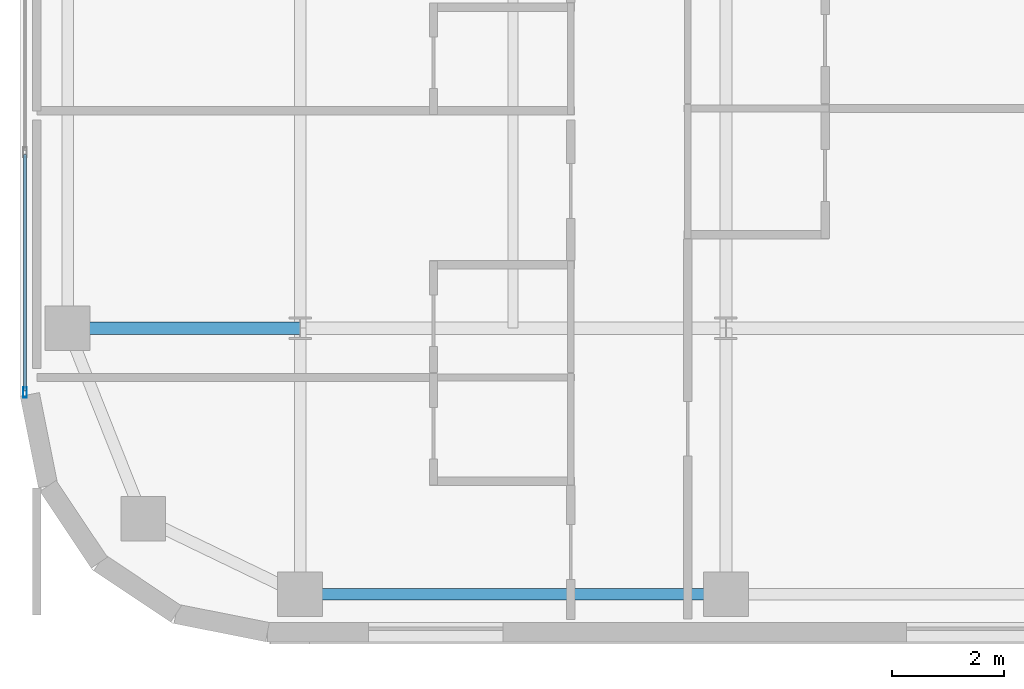
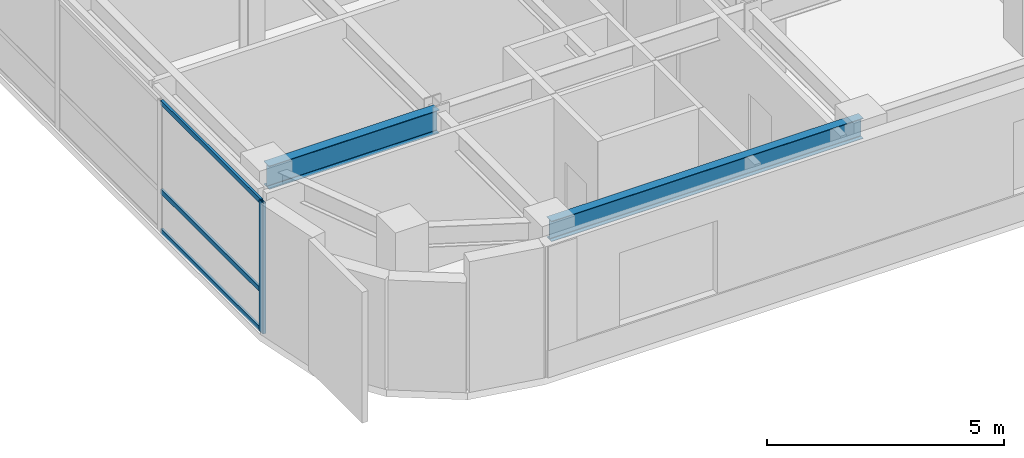
# One storey, part 3 of 28: 4 members, 2 beams, 1 element without a shape of its own.
"""IFC4 building model written with IfcOpenShell, lengths in metres."""

from ifc_helpers import new_model, si_unit, direction, frame, origin, origin_2d, place, context, subcontext, project, spatial, hollow_rectangle, i_section, extrude, source, transform, mapped, material, layer, layer_set, material_profile, profile_set, type_object, type_shapes, element, aggregate, save


model = new_model("IFC4")

# Units and contexts
model_context = context("Model", 3, precision=1e-05, world=origin(), true_north=direction((0.0, 1.0)))
body_context = subcontext(model_context, "Body", "Model", "MODEL_VIEW")
ifc_project = project(units=[si_unit("LENGTHUNIT", "METRE"), si_unit("AREAUNIT", "SQUARE_METRE"), si_unit("VOLUMEUNIT", "CUBIC_METRE"), si_unit("PLANEANGLEUNIT", "RADIAN"), si_unit("MASSUNIT", "GRAM", prefix="KILO")], contexts=[model_context])

# Site, building, storey
site_placement = place(None, origin())
site = spatial("IfcSite", under=ifc_project, at=site_placement, CompositionType="ELEMENT")
building_placement = place(site_placement, origin())
building = spatial("IfcBuilding", under=site, at=building_placement, Name="Tolvann Quenvar Hotel", CompositionType="ELEMENT")
storey_placement = place(building_placement, frame((0.0, 0.0, 154.14990234375)))
storey = spatial("IfcBuildingStorey", under=building, at=storey_placement, Name="L40", CompositionType="ELEMENT", Elevation=154.14990234375)

# Beams
ifc_material_1 = material(Name="Steel Grade 350", Category="steel")
ifc_material_profile_1 = material_profile(ifc_material_1, i_section(OverallWidth=0.208984375, OverallDepth=0.528076171875, WebThickness=0.009521484375, FlangeThickness=0.01318359375, FilletRadius=0.013916015625, at=origin_2d()), Name="530UB82")
ifc_profile_set_1 = profile_set([ifc_material_profile_1], Name="Steel Grade 350")
beam_type_1 = type_object("IfcBeamType", Name="BM_SPAND_530UB82", PredefinedType="SPANDREL", material=ifc_profile_set_1)
shared_shape_1 = source(origin(), body_context, "Body", "SweptSolid", [
    extrude(i_section(OverallWidth=0.208984375, OverallDepth=0.528076171875, WebThickness=0.009521484375, FlangeThickness=0.01318359375, FilletRadius=0.013916015625, at=origin_2d()), origin(), (0.0, 0.0, 1.0), 7.599853515625),
])
type_shapes(beam_type_1, [shared_shape_1])
beam_1_placement = place(storey_placement, frame((7.60009765625, 3.449951171875, 3.106201171875), z_axis=(1.0, 0.0, 0.0), x_axis=(0.0, 1.0, 0.0)))
element("IfcBeam", 1, at=beam_1_placement, inside=storey, type_object=beam_type_1, Name="BM-L40-EW-2-C2-D2", PredefinedType="SPANDREL", context=body_context, shape_type="MappedRepresentation", body=[
    mapped(shared_shape_1, transform((0.0, 0.0, 0.0), x_axis=(1.0, 0.0, 0.0), y_axis=(0.0, 1.0, 0.0), z_axis=(0.0, 0.0, 1.0), scale=1.0)),
])
ifc_material_profile_2 = material_profile(ifc_material_1, i_section(OverallWidth=0.22802734375, OverallDepth=0.60205078125, WebThickness=0.010498046875, FlangeThickness=0.014892578125, FilletRadius=0.013916015625, at=origin_2d()), Name="610UB101")
ifc_profile_set_2 = profile_set([ifc_material_profile_2], Name="Steel Grade 350")
beam_type_2 = type_object("IfcBeamType", Name="BM_GIRD_610UB101", PredefinedType="BEAM", material=ifc_profile_set_2)
shared_shape_2 = source(origin(), body_context, "Body", "SweptSolid", [
    extrude(i_section(OverallWidth=0.22802734375, OverallDepth=0.60205078125, WebThickness=0.010498046875, FlangeThickness=0.014892578125, FilletRadius=0.013916015625, at=origin_2d()), origin(), (0.0, 0.0, 1.0), 4.150146484375),
])
type_shapes(beam_type_2, [shared_shape_2])
beam_2_placement = place(storey_placement, frame((3.449951171875, 8.199951171875, 3.069091796875), z_axis=(1.0, 0.0, 0.0), x_axis=(0.0, 1.0, 0.0)))
element("IfcBeam", 2, at=beam_2_placement, inside=storey, type_object=beam_type_2, Name="BM-L40-EW-3-B3-C3", PredefinedType="BEAM", context=body_context, shape_type="MappedRepresentation", body=[
    mapped(shared_shape_2, transform((0.0, 0.0, 0.0), x_axis=(1.0, 0.0, 0.0), y_axis=(0.0, 1.0, 0.0), z_axis=(0.0, 0.0, 1.0), scale=1.0)),
])

# Curtain wall, members
ifc_material_2 = material(Name="Thermally broken anodised architectural aluminium 6063-T6 and laminated low-E glass", Category="aluminium")
ifc_layer = layer(ifc_material_2, 0.179931640625)
ifc_layer_set = layer_set([ifc_layer], Name="Thermally broken anodised architectural aluminium 6063-T6 and laminated low-E glass")
curtain_wall_type = type_object("IfcCurtainWallType", Name="CW_SYS_BAND_04", PredefinedType="USERDEFINED", material=ifc_layer_set)
curtain_wall_placement = place(storey_placement, origin())
curtain_wall = element("IfcCurtainWall", 3, at=curtain_wall_placement, inside=storey, type_object=curtain_wall_type, Name="Curtain Wall CW-BAND-04 (CWR-L40-E23)", ObjectType="UNITISED CURTAIN WALL", PredefinedType="USERDEFINED")
ifc_material_3 = material(Name="Anodised architectural aluminium 6063-T6 framing", Category="aluminium")
ifc_material_profile_3 = material_profile(ifc_material_3, hollow_rectangle(XDim=0.070068359375, YDim=0.179931640625, WallThickness=0.00390625, at=origin_2d()), Name="180x70x4RHS")
ifc_profile_set_3 = profile_set([ifc_material_profile_3], Name="Anodised architectural aluminium 6063-T6 framing")
member_type_1 = type_object("IfcMemberType", Name="CW_MULL_180x70", PredefinedType="MULLION", material=ifc_profile_set_3)
shared_shape_3 = source(origin(), body_context, "Body", "SweptSolid", [
    extrude(hollow_rectangle(XDim=0.070068359375, YDim=0.179931640625, WallThickness=0.00390625, at=origin_2d()), origin(), (0.0, 0.0, 1.0), 3.3701171875),
])
type_shapes(member_type_1, [shared_shape_3])
member_1_placement = place(storey_placement, frame((2.68994140625, 7.05224609375, 0.0), z_axis=(0.0, 0.0, 1.0), x_axis=(1.0, 0.0, 0.0)))
member_1 = element("IfcMember", 4, at=member_1_placement, type_object=member_type_1, Name="CW-BAND-04 mullion 9", PredefinedType="MULLION", context=body_context, shape_type="MappedRepresentation", body=[
    mapped(shared_shape_3, transform((0.0, 0.0, 0.0), x_axis=(1.0, 0.0, 0.0), y_axis=(0.0, 1.0, 0.0), z_axis=(0.0, 0.0, 1.0), scale=1.0)),
])
ifc_material_profile_4 = material_profile(ifc_material_3, hollow_rectangle(XDim=0.06005859375, YDim=0.1201171875, WallThickness=0.00341796875, at=origin_2d()), Name="120x60x3.5RHS")
ifc_profile_set_4 = profile_set([ifc_material_profile_4], Name="Anodised architectural aluminium 6063-T6 framing")
member_type_2 = type_object("IfcMemberType", Name="CW_TRAN_120x60", PredefinedType="USERDEFINED", material=ifc_profile_set_4)
shared_shape_4 = source(origin(), body_context, "Body", "SweptSolid", [
    extrude(hollow_rectangle(XDim=0.06005859375, YDim=0.1201171875, WallThickness=0.00341796875, at=origin_2d()), origin(), (0.0, 0.0, 1.0), 4.2158203125),
])
type_shapes(member_type_2, [shared_shape_4])
member_2_placement = place(storey_placement, frame((2.68994140625, 11.302978515625, 0.030029296875), z_axis=(0.0, -1.0, 0.0), x_axis=(1.0, 0.0, 0.0)))
member_2 = element("IfcMember", 5, at=member_2_placement, type_object=member_type_2, Name="CW-BAND-04 transom 8.1", ObjectType="TRANSOM", PredefinedType="USERDEFINED", context=body_context, shape_type="MappedRepresentation", body=[
    mapped(shared_shape_4, transform((0.0, 0.0, 0.0), x_axis=(1.0, 0.0, 0.0), y_axis=(0.0, 1.0, 0.0), z_axis=(0.0, 0.0, 1.0), scale=1.0)),
])
member_3_placement = place(storey_placement, frame((2.68994140625, 11.302978515625, 1.050048828125), z_axis=(0.0, -1.0, 0.0), x_axis=(1.0, 0.0, 0.0)))
member_3 = element("IfcMember", 6, at=member_3_placement, type_object=member_type_2, Name="CW-BAND-04 transom 8.2", ObjectType="TRANSOM", PredefinedType="USERDEFINED", context=body_context, shape_type="MappedRepresentation", body=[
    mapped(shared_shape_4, transform((0.0, 0.0, 0.0), x_axis=(1.0, 0.0, 0.0), y_axis=(0.0, 1.0, 0.0), z_axis=(0.0, 0.0, 1.0), scale=1.0)),
])
member_4_placement = place(storey_placement, frame((2.68994140625, 11.302978515625, 3.340087890625), z_axis=(0.0, -1.0, 0.0), x_axis=(1.0, 0.0, 0.0)))
member_4 = element("IfcMember", 7, at=member_4_placement, type_object=member_type_2, Name="CW-BAND-04 transom 8.3", ObjectType="TRANSOM", PredefinedType="USERDEFINED", context=body_context, shape_type="MappedRepresentation", body=[
    mapped(shared_shape_4, transform((0.0, 0.0, 0.0), x_axis=(1.0, 0.0, 0.0), y_axis=(0.0, 1.0, 0.0), z_axis=(0.0, 0.0, 1.0), scale=1.0)),
])
aggregate(curtain_wall, [member_1, member_2, member_3, member_4])

save(model, "model.ifc")
